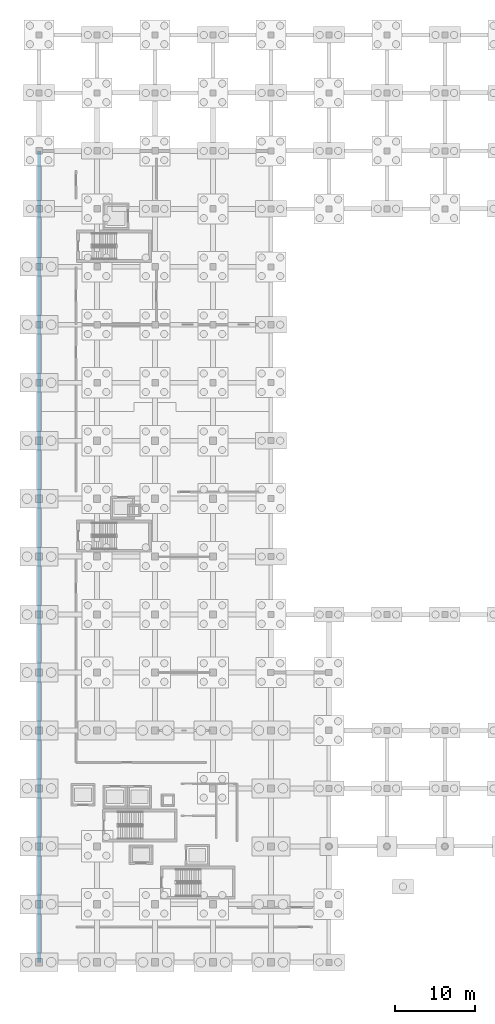
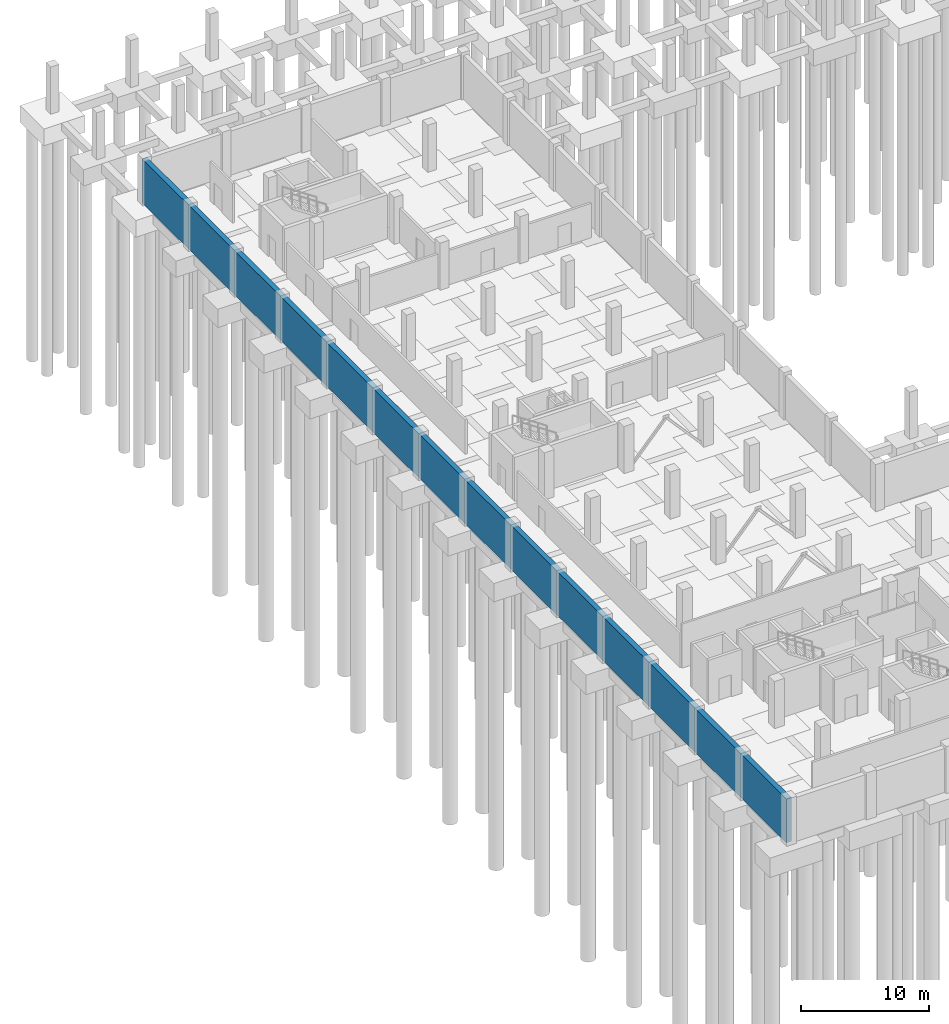
# One storey, part 28 of 36: 1 wall.
"""IFC4 building model written with IfcOpenShell, lengths in metres."""

from ifc_helpers import new_model, si_unit, direction, frame, frame_2d, origin, place, context, subcontext, project, spatial, rectangle, extrude, material, layer, layer_set, type_object, element, save


model = new_model("IFC4")

# Units and contexts
model_context = context("Model", 3, precision=1e-05, world=origin(), true_north=direction((0.0, 1.0)))
body_context = subcontext(model_context, "Body", "Model", "MODEL_VIEW")
ifc_project = project(units=[si_unit("LENGTHUNIT", "METRE"), si_unit("AREAUNIT", "SQUARE_METRE"), si_unit("VOLUMEUNIT", "CUBIC_METRE"), si_unit("PLANEANGLEUNIT", "RADIAN"), si_unit("MASSUNIT", "GRAM", prefix="KILO")], contexts=[model_context])

# Site, building, storey
site_placement = place(None, origin())
site = spatial("IfcSite", under=ifc_project, at=site_placement, CompositionType="ELEMENT")
building_placement = place(site_placement, origin())
building = spatial("IfcBuilding", under=site, at=building_placement, Name="Kalmorath City Hall", CompositionType="ELEMENT")
storey_placement = place(building_placement, frame((0.0, 0.0, -4.5)))
storey = spatial("IfcBuildingStorey", under=building, at=storey_placement, Name="B1", CompositionType="ELEMENT", Elevation=-4.5)

# Wall
ifc_material = material(Name="Concrete C40/50", Category="concrete")
ifc_layer = layer(ifc_material, 0.449951171875)
ifc_layer_set = layer_set([ifc_layer], Name="Concrete C40/50")
wall_type = type_object("IfcWallType", Name="Concrete basement retaining wall 450", PredefinedType="USERDEFINED", material=ifc_layer_set)
wall_placement = place(storey_placement, frame((0.0, 100.800048828125, 0.0), z_axis=(0.0, 0.0, 1.0), x_axis=(0.0, -1.0, 0.0)))
element("IfcWall", 1, at=wall_placement, inside=storey, type_object=wall_type, Name="B1 retaining wall RW2-6", ObjectType="RETAININGWALL", PredefinedType="USERDEFINED", context=body_context, shape_type="SweptSolid", body=[
    extrude(rectangle(XDim=100.800048828125, YDim=0.449951171875, at=frame_2d((50.39990234375, 0.0))), origin(), (0.0, 0.0, 1.0), 4.199951171875),
])

save(model, "model.ifc")
